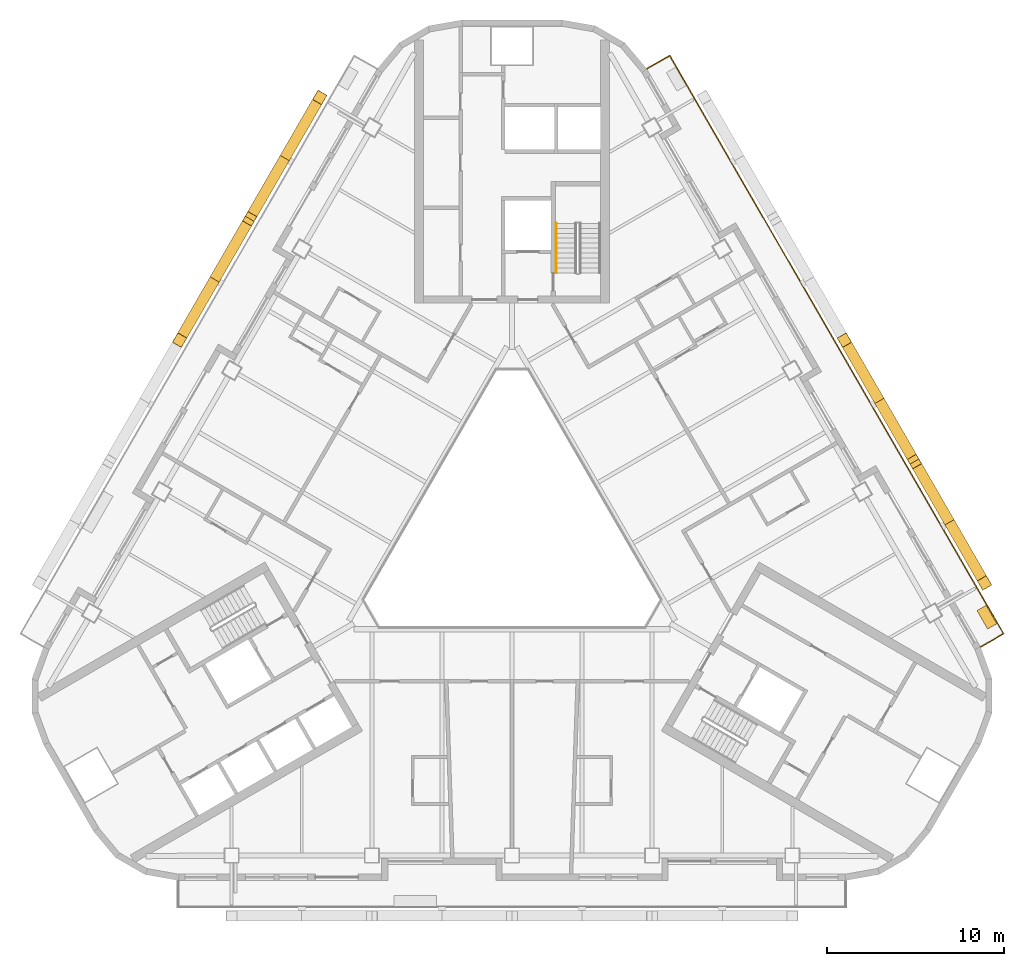
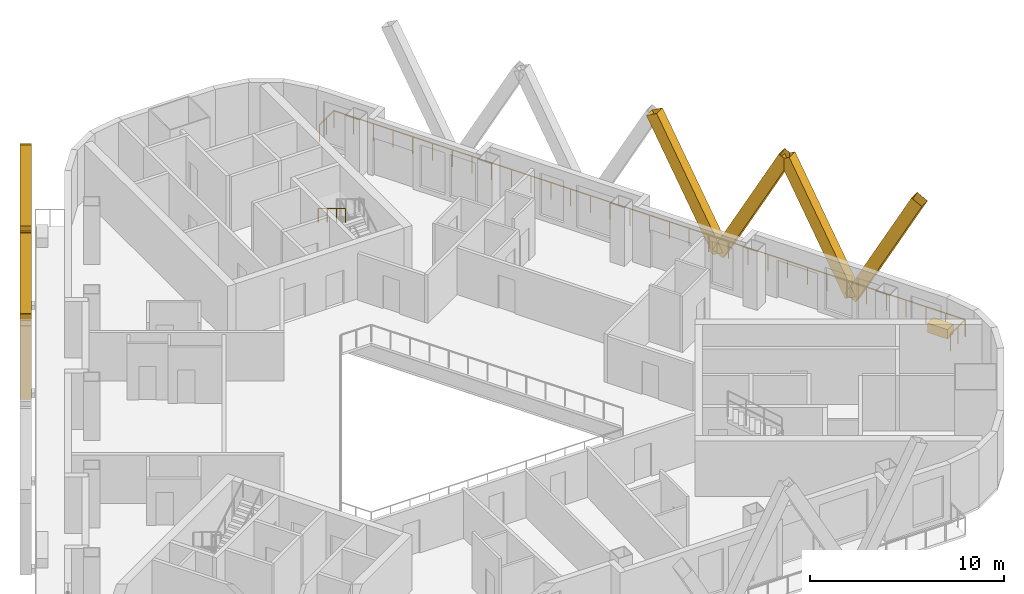
# One storey, part 12 of 13: 8 shading devices, 2 railings, 1 covering.
"""IFC4 building model written with IfcOpenShell, lengths in metres."""

from ifc_helpers import new_model, si_unit, direction, frame, origin, origin_2d, place, context, subcontext, project, spatial, rectangle, hollow_rectangle, circle, extrude, material, material_profile, profile_set, type_object, element, save


model = new_model("IFC4")

# Units and contexts
model_context = context("Model", 3, precision=1e-05, world=origin(), true_north=direction((0.0, 1.0)))
body_context = subcontext(model_context, "Body", "Model", "MODEL_VIEW")
ifc_project = project(units=[si_unit("LENGTHUNIT", "METRE"), si_unit("AREAUNIT", "SQUARE_METRE"), si_unit("VOLUMEUNIT", "CUBIC_METRE"), si_unit("PLANEANGLEUNIT", "RADIAN"), si_unit("MASSUNIT", "GRAM", prefix="KILO")], contexts=[model_context])

# Site, building, storey
site_placement = place(None, origin())
site = spatial("IfcSite", under=ifc_project, at=site_placement, CompositionType="ELEMENT")
building_placement = place(site_placement, origin())
building = spatial("IfcBuilding", under=site, at=building_placement, Name="Apuvela Tower Hotel", CompositionType="ELEMENT")
storey_placement = place(building_placement, frame((0.0, 0.0, 183.60009765625)))
storey = spatial("IfcBuildingStorey", under=building, at=storey_placement, Name="L44", CompositionType="ELEMENT", Elevation=183.60009765625)

# Railing
ifc_material_1 = material(Name="Stainless steel 316 handrail", Category="steel")
railing_type_1 = type_object("IfcRailingType", Name="COR-HANDRAIL-900", PredefinedType="HANDRAIL", material=ifc_material_1)
railing_1_placement = place(storey_placement, frame((2.5, 17.39990234375, 2.01806640625)))
element("IfcRailing", 1, at=railing_1_placement, inside=storey, type_object=railing_type_1, Name="L44 ST1 stair handrail 2", PredefinedType="HANDRAIL", context=body_context, shape_type="SweptSolid", body=[
    extrude(circle(Radius=0.02392578125, at=origin_2d()), frame((0.0, 0.0, 0.8759765625), z_axis=(0.0, -0.857222391501, 0.514946377315), x_axis=(1.0, 0.0, 0.0)), (0.0, 0.0, 1.0), 3.26611328125),
    extrude(rectangle(XDim=0.0419921875, YDim=0.0419921875, at=origin_2d()), origin(), (0.0, 0.0, 1.0), 0.851806640625),
    extrude(rectangle(XDim=0.0419921875, YDim=0.0419921875, at=origin_2d()), frame((0.0, -0.933349609375, 0.560546875)), (0.0, 0.0, 1.0), 0.851806640625),
    extrude(rectangle(XDim=0.0419921875, YDim=0.0419921875, at=origin_2d()), frame((0.0, -1.866455078125, 1.121337890625)), (0.0, 0.0, 1.0), 0.851806640625),
    extrude(rectangle(XDim=0.0419921875, YDim=0.0419921875, at=origin_2d()), frame((0.0, -2.7998046875, 1.681884765625)), (0.0, 0.0, 1.0), 0.851806640625),
])

# Shading devices
ifc_material_2 = material(Name="Aluminium 6063-T6, black anodised", Category="aluminium")
ifc_material_profile = material_profile(ifc_material_2, hollow_rectangle(XDim=0.60009765625, YDim=0.699951171875, WallThickness=0.011962890625, at=origin_2d()), Name="AL BOX 700x600x12")
ifc_profile_set = profile_set([ifc_material_profile], Name="Aluminium 6063-T6, black anodised")
shading_device_type = type_object("IfcShadingDeviceType", Name="ENV-FIN-700x600", PredefinedType="USERDEFINED", material=ifc_profile_set)
for number, where, z_axis, x_axis, name in (
    (2, (24.656982421875, 0.552490234375, -0.10009765625), (0.235463880167, -0.407797827568, 0.882189148067), (0.866005453737, 0.500034552904, 0.0), "Lattice fin NE377"),
    (3, (24.656982421875, 0.552490234375, -0.10009765625), (-0.235433593518, 0.407824887177, 0.882184722404), (-0.866047669374, -0.499961432884, 0.0), "Lattice fin NE378"),
    (4, (20.70703125, 7.394287109375, -0.10009765625), (0.235461085354, -0.407822092458, 0.882178677019), (0.866020906874, 0.500007788796, 0.0), "Lattice fin NE379"),
):
    element("IfcShadingDevice", number, at=place(storey_placement, frame(where, z_axis=z_axis, x_axis=x_axis)), inside=storey, type_object=shading_device_type, Name=name, ObjectType="FIN", PredefinedType="USERDEFINED", context=body_context, shape_type="SweptSolid", body=[
        extrude(hollow_rectangle(XDim=0.60009765625, YDim=0.699951171875, WallThickness=0.011962890625, at=origin_2d()), origin(), (0.0, 0.0, 1.0), 8.38818359375),
    ])
shading_device_placement = place(storey_placement, frame((20.70703125, 7.394287109375, -0.10009765625), z_axis=(-0.235436388043, 0.407800622186, 0.882195193667), x_axis=(-0.866032218625, -0.499988196164, 0.0)))
element("IfcShadingDevice", 5, at=shading_device_placement, inside=storey, type_object=shading_device_type, Name="Lattice fin NE380", ObjectType="FIN", PredefinedType="USERDEFINED", context=body_context, shape_type="SweptSolid", body=[
    extrude(hollow_rectangle(XDim=0.60009765625, YDim=0.699951171875, WallThickness=0.011962890625, at=origin_2d()), origin(), (0.0, 0.0, 1.0), 8.387939453125),
])
for number, where, z_axis, x_axis, name in (
    (6, (-12.80712890625, 21.077392578125, -0.10009765625), (0.235461085354, 0.407822092458, 0.882178677019), (-0.866020906874, 0.500007788796, 0.0), "Lattice fin NW425"),
    (7, (-12.80712890625, 21.077392578125, -0.10009765625), (-0.235433593518, -0.407824887177, 0.882184722404), (0.866047669374, -0.499961432884, 0.0), "Lattice fin NW426"),
    (8, (-16.757080078125, 14.23583984375, -0.10009765625), (0.235463880167, 0.407797827568, 0.882189148067), (-0.866005453737, 0.500034552904, 0.0), "Lattice fin NW427"),
    (9, (-16.757080078125, 14.23583984375, -0.10009765625), (-0.235461085354, -0.407822092458, 0.882178677019), (0.866020906874, -0.500007788796, 0.0), "Lattice fin NW428"),
):
    element("IfcShadingDevice", number, at=place(storey_placement, frame(where, z_axis=z_axis, x_axis=x_axis)), inside=storey, type_object=shading_device_type, Name=name, ObjectType="FIN", PredefinedType="USERDEFINED", context=body_context, shape_type="SweptSolid", body=[
        extrude(hollow_rectangle(XDim=0.60009765625, YDim=0.699951171875, WallThickness=0.011962890625, at=origin_2d()), origin(), (0.0, 0.0, 1.0), 8.38818359375),
    ])

# Railing
ifc_material_3 = material(Name="Stainless steel 316 rail with laminated glass infill", Category="steel")
railing_type_2 = type_object("IfcRailingType", Name="ENV-GUARD-1100", PredefinedType="GUARDRAIL", material=ifc_material_3)
railing_2_placement = place(storey_placement, frame((26.407958984375, -6.47998046875, 0.0)))
element("IfcRailing", 10, at=railing_2_placement, inside=storey, type_object=railing_type_2, Name="Balcony guard NE L44", PredefinedType="GUARDRAIL", context=body_context, shape_type="SweptSolid", body=[
    extrude(rectangle(XDim=0.050048828125, YDim=0.050048828125, at=origin_2d()), frame((0.0, 0.0, 1.0751953125), z_axis=(0.866031096941, 0.499990139034, 0.0), x_axis=(-0.499990139034, 0.866031096941, 0.0)), (0.0, 0.0, 1.0), 1.5),
    extrude(rectangle(XDim=0.050048828125, YDim=0.050048828125, at=origin_2d()), frame((1.299072265625, 0.75, 1.0751953125), z_axis=(-0.500000437506, 0.86602515119, 0.0), x_axis=(-0.86602515119, -0.500000437506, 0.0)), (0.0, 0.0, 1.0), 37.6318359375),
    extrude(rectangle(XDim=0.050048828125, YDim=0.050048828125, at=origin_2d()), frame((-17.516845703125, 33.340087890625, 1.0751953125), z_axis=(-0.86599040064, -0.500060622324, 0.0), x_axis=(0.500060622324, -0.86599040064, 0.0)), (0.0, 0.0, 1.0), 1.499755859375),
    extrude(rectangle(XDim=0.0400390625, YDim=0.0400390625, at=origin_2d()), origin(), (0.0, 0.0, 1.0), 1.050048828125),
    extrude(rectangle(XDim=0.0400390625, YDim=0.0400390625, at=origin_2d()), frame((0.6494140625, 0.375, 0.0)), (0.0, 0.0, 1.0), 1.050048828125),
    extrude(rectangle(XDim=0.0400390625, YDim=0.0400390625, at=origin_2d()), frame((1.299072265625, 0.75, 0.0)), (0.0, 0.0, 1.0), 1.050048828125),
    extrude(rectangle(XDim=0.0400390625, YDim=0.0400390625, at=origin_2d()), frame((0.711181640625, 1.7685546875, 0.0)), (0.0, 0.0, 1.0), 1.050048828125),
    extrude(rectangle(XDim=0.0400390625, YDim=0.0400390625, at=origin_2d()), frame((0.123046875, 2.786865234375, 0.0)), (0.0, 0.0, 1.0), 1.050048828125),
    extrude(rectangle(XDim=0.0400390625, YDim=0.0400390625, at=origin_2d()), frame((-0.46484375, 3.805419921875, 0.0)), (0.0, 0.0, 1.0), 1.050048828125),
    extrude(rectangle(XDim=0.0400390625, YDim=0.0400390625, at=origin_2d()), frame((-1.052978515625, 4.82373046875, 0.0)), (0.0, 0.0, 1.0), 1.050048828125),
    extrude(rectangle(XDim=0.0400390625, YDim=0.0400390625, at=origin_2d()), frame((-1.640869140625, 5.84228515625, 0.0)), (0.0, 0.0, 1.0), 1.050048828125),
    extrude(rectangle(XDim=0.0400390625, YDim=0.0400390625, at=origin_2d()), frame((-2.22900390625, 6.860595703125, 0.0)), (0.0, 0.0, 1.0), 1.050048828125),
    extrude(rectangle(XDim=0.0400390625, YDim=0.0400390625, at=origin_2d()), frame((-2.81689453125, 7.879150390625, 0.0)), (0.0, 0.0, 1.0), 1.050048828125),
    extrude(rectangle(XDim=0.0400390625, YDim=0.0400390625, at=origin_2d()), frame((-3.40478515625, 8.8974609375, 0.0)), (0.0, 0.0, 1.0), 1.050048828125),
    extrude(rectangle(XDim=0.0400390625, YDim=0.0400390625, at=origin_2d()), frame((-3.992919921875, 9.916015625, 0.0)), (0.0, 0.0, 1.0), 1.050048828125),
    extrude(rectangle(XDim=0.0400390625, YDim=0.0400390625, at=origin_2d()), frame((-4.580810546875, 10.934326171875, 0.0)), (0.0, 0.0, 1.0), 1.050048828125),
    extrude(rectangle(XDim=0.0400390625, YDim=0.0400390625, at=origin_2d()), frame((-5.1689453125, 11.952880859375, 0.0)), (0.0, 0.0, 1.0), 1.050048828125),
    extrude(rectangle(XDim=0.0400390625, YDim=0.0400390625, at=origin_2d()), frame((-5.7568359375, 12.97119140625, 0.0)), (0.0, 0.0, 1.0), 1.050048828125),
    extrude(rectangle(XDim=0.0400390625, YDim=0.0400390625, at=origin_2d()), frame((-6.344970703125, 13.98974609375, 0.0)), (0.0, 0.0, 1.0), 1.050048828125),
    extrude(rectangle(XDim=0.0400390625, YDim=0.0400390625, at=origin_2d()), frame((-6.932861328125, 15.008056640625, 0.0)), (0.0, 0.0, 1.0), 1.050048828125),
    extrude(rectangle(XDim=0.0400390625, YDim=0.0400390625, at=origin_2d()), frame((-7.52099609375, 16.026611328125, 0.0)), (0.0, 0.0, 1.0), 1.050048828125),
    extrude(rectangle(XDim=0.0400390625, YDim=0.0400390625, at=origin_2d()), frame((-8.10888671875, 17.044921875, 0.0)), (0.0, 0.0, 1.0), 1.050048828125),
    extrude(rectangle(XDim=0.0400390625, YDim=0.0400390625, at=origin_2d()), frame((-8.69677734375, 18.0634765625, 0.0)), (0.0, 0.0, 1.0), 1.050048828125),
    extrude(rectangle(XDim=0.0400390625, YDim=0.0400390625, at=origin_2d()), frame((-9.284912109375, 19.08203125, 0.0)), (0.0, 0.0, 1.0), 1.050048828125),
    extrude(rectangle(XDim=0.0400390625, YDim=0.0400390625, at=origin_2d()), frame((-9.872802734375, 20.100341796875, 0.0)), (0.0, 0.0, 1.0), 1.050048828125),
    extrude(rectangle(XDim=0.0400390625, YDim=0.0400390625, at=origin_2d()), frame((-10.4609375, 21.118896484375, 0.0)), (0.0, 0.0, 1.0), 1.050048828125),
    extrude(rectangle(XDim=0.0400390625, YDim=0.0400390625, at=origin_2d()), frame((-11.048828125, 22.13720703125, 0.0)), (0.0, 0.0, 1.0), 1.050048828125),
    extrude(rectangle(XDim=0.0400390625, YDim=0.0400390625, at=origin_2d()), frame((-11.636962890625, 23.15576171875, 0.0)), (0.0, 0.0, 1.0), 1.050048828125),
    extrude(rectangle(XDim=0.0400390625, YDim=0.0400390625, at=origin_2d()), frame((-12.224853515625, 24.174072265625, 0.0)), (0.0, 0.0, 1.0), 1.050048828125),
    extrude(rectangle(XDim=0.0400390625, YDim=0.0400390625, at=origin_2d()), frame((-12.81298828125, 25.192626953125, 0.0)), (0.0, 0.0, 1.0), 1.050048828125),
    extrude(rectangle(XDim=0.0400390625, YDim=0.0400390625, at=origin_2d()), frame((-13.40087890625, 26.2109375, 0.0)), (0.0, 0.0, 1.0), 1.050048828125),
    extrude(rectangle(XDim=0.0400390625, YDim=0.0400390625, at=origin_2d()), frame((-13.98876953125, 27.2294921875, 0.0)), (0.0, 0.0, 1.0), 1.050048828125),
    extrude(rectangle(XDim=0.0400390625, YDim=0.0400390625, at=origin_2d()), frame((-14.576904296875, 28.247802734375, 0.0)), (0.0, 0.0, 1.0), 1.050048828125),
    extrude(rectangle(XDim=0.0400390625, YDim=0.0400390625, at=origin_2d()), frame((-15.164794921875, 29.266357421875, 0.0)), (0.0, 0.0, 1.0), 1.050048828125),
    extrude(rectangle(XDim=0.0400390625, YDim=0.0400390625, at=origin_2d()), frame((-15.7529296875, 30.28466796875, 0.0)), (0.0, 0.0, 1.0), 1.050048828125),
    extrude(rectangle(XDim=0.0400390625, YDim=0.0400390625, at=origin_2d()), frame((-16.3408203125, 31.30322265625, 0.0)), (0.0, 0.0, 1.0), 1.050048828125),
    extrude(rectangle(XDim=0.0400390625, YDim=0.0400390625, at=origin_2d()), frame((-16.928955078125, 32.321533203125, 0.0)), (0.0, 0.0, 1.0), 1.050048828125),
    extrude(rectangle(XDim=0.0400390625, YDim=0.0400390625, at=origin_2d()), frame((-17.516845703125, 33.340087890625, 0.0)), (0.0, 0.0, 1.0), 1.050048828125),
    extrude(rectangle(XDim=0.0400390625, YDim=0.0400390625, at=origin_2d()), frame((-18.166259765625, 32.965087890625, 0.0)), (0.0, 0.0, 1.0), 1.050048828125),
    extrude(rectangle(XDim=0.0400390625, YDim=0.0400390625, at=origin_2d()), frame((-18.815673828125, 32.590087890625, 0.0)), (0.0, 0.0, 1.0), 1.050048828125),
])

# Covering
ifc_material_4 = material(Name="Planting substrate and soil, planted")
covering_type = type_object("IfcCoveringType", Name="ENV-PLANTER-1200x600", PredefinedType="USERDEFINED", material=ifc_material_4)
covering_placement = place(storey_placement, frame((26.763916015625, -4.79638671875, -0.000244140625), z_axis=(0.0, 0.0, 1.0), x_axis=(-0.5, 0.866025403784, 0.0)))
element("IfcCovering", 11, at=covering_placement, inside=storey, type_object=covering_type, Name="Planter NE2", ObjectType="PLANTER", PredefinedType="USERDEFINED", context=body_context, shape_type="SweptSolid", body=[
    extrude(rectangle(XDim=1.199951171875, YDim=0.60009765625, at=origin_2d()), origin(), (0.0, 0.0, 1.0), 0.60009765625),
])

save(model, "model.ifc")
